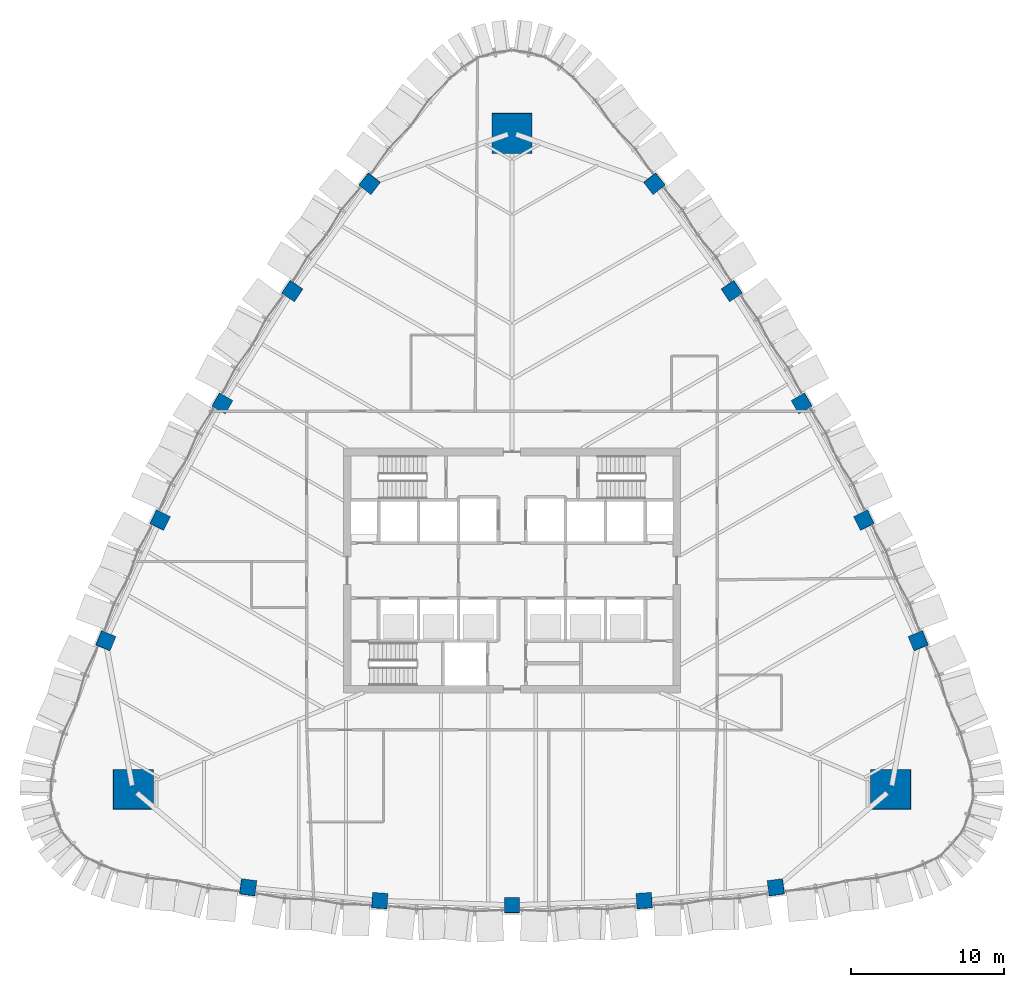
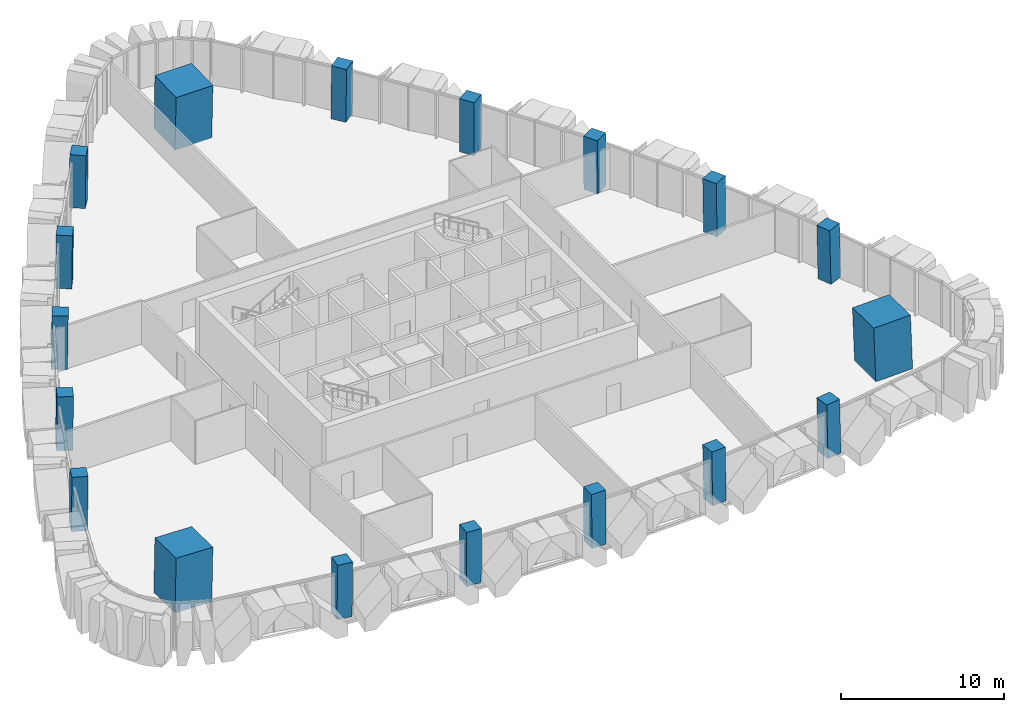
# One storey, part 1 of 18: 18 columns.
"""IFC4 building model written with IfcOpenShell, lengths in metres."""

from ifc_helpers import new_model, si_unit, direction, frame, origin, origin_2d, place, context, subcontext, project, spatial, rectangle, extrude, material, material_profile, profile_set, type_object, element, save


model = new_model("IFC4")

# Units and contexts
model_context = context("Model", 3, precision=1e-05, world=origin(), true_north=direction((0.0, 1.0)))
body_context = subcontext(model_context, "Body", "Model", "MODEL_VIEW")
ifc_project = project(units=[si_unit("LENGTHUNIT", "METRE"), si_unit("AREAUNIT", "SQUARE_METRE"), si_unit("VOLUMEUNIT", "CUBIC_METRE"), si_unit("PLANEANGLEUNIT", "RADIAN"), si_unit("MASSUNIT", "GRAM", prefix="KILO")], contexts=[model_context])

# Site, building, storey
site_placement = place(None, origin())
site = spatial("IfcSite", under=ifc_project, at=site_placement, CompositionType="ELEMENT")
building_placement = place(site_placement, origin())
building = spatial("IfcBuilding", under=site, at=building_placement, Name="Sierra Prisma Convention Tower", CompositionType="ELEMENT")
storey_placement = place(building_placement, frame((0.0, 0.0, 137.800048828125)))
storey = spatial("IfcBuildingStorey", under=building, at=storey_placement, Name="L29", CompositionType="ELEMENT", Elevation=137.800048828125)

# Columns
ifc_material_1 = material(Name="Concrete C60/75", Category="concrete")
ifc_material_profile_1 = material_profile(ifc_material_1, rectangle(XDim=2.60009765625, YDim=2.60009765625, at=origin_2d()), Name="Mega column RC 2600 C60/75")
ifc_profile_set_1 = profile_set([ifc_material_profile_1], Name="Concrete C60/75")
column_type_1 = type_object("IfcColumnType", Name="Mega column RC 2600 C60/75", PredefinedType="COLUMN", material=ifc_profile_set_1)
for number, where, z_axis, x_axis, name in (
    (1, (24.758056640625, -14.294189453125, 0.0), (-0.02806141744, 0.01622681965, 0.999474485505), (0.999606200887, 0.000455526946, 0.028057719863), "Mega column SE L29"),
    (2, (0.0, 28.588134765625, 0.0), (0.0, -0.032392660026, 0.999475220091), (1.0, 0.0, 0.0), "Mega column N L29"),
    (3, (-24.758056640625, -14.294189453125, 0.0), (0.02806141744, 0.01622681965, 0.999474485505), (0.999606200887, -0.000455526946, -0.028057719863), "Mega column SW L29"),
):
    element("IfcColumn", number, at=place(storey_placement, frame(where, z_axis=z_axis, x_axis=x_axis)), inside=storey, type_object=column_type_1, Name=name, PredefinedType="COLUMN", context=body_context, shape_type="SweptSolid", body=[
        extrude(rectangle(XDim=2.60009765625, YDim=2.60009765625, at=origin_2d()), origin(), (0.0, 0.0, 1.0), 4.002197265625),
    ])
ifc_material_2 = material(Name="Concrete C60/75", Category="concrete")
ifc_material_profile_2 = material_profile(ifc_material_2, rectangle(XDim=1.0, YDim=1.0, at=origin_2d()), Name="Perimeter column RC 1000 C60/75")
ifc_profile_set_2 = profile_set([ifc_material_profile_2], Name="Concrete C60/75")
column_type_2 = type_object("IfcColumnType", Name="Perimeter column RC 1000 C60/75", PredefinedType="COLUMN", material=ifc_profile_set_2)
column_1_placement = place(storey_placement, frame((-17.243408203125, -20.691162109375, 0.0), z_axis=(0.017696459735, 0.010434809016, 0.999788952766), x_axis=(-0.990875185818, 0.133812553022, 0.016142081135)))
element("IfcColumn", 4, at=column_1_placement, inside=storey, type_object=column_type_2, Name="Perimeter column S-1 L29", PredefinedType="COLUMN", context=body_context, shape_type="SweptSolid", body=[
    extrude(rectangle(XDim=1.0, YDim=1.0, at=origin_2d()), origin(), (0.0, 0.0, 1.0), 4.000732421875),
])
column_2_placement = place(storey_placement, frame((-8.64111328125, -21.558837890625, 0.0), z_axis=(0.008849199152, 0.01116829962, 0.999898475225), x_axis=(-0.997716007081, 0.067063175126, 0.008080826415)))
element("IfcColumn", 5, at=column_2_placement, inside=storey, type_object=column_type_2, Name="Perimeter column S-2 L29", PredefinedType="COLUMN", context=body_context, shape_type="SweptSolid", body=[
    extrude(rectangle(XDim=1.0, YDim=1.0, at=origin_2d()), origin(), (0.0, 0.0, 1.0), 4.00048828125),
])
column_3_placement = place(storey_placement, frame((0.0, -21.8486328125, 0.0), z_axis=(0.0, 0.01141283087, 0.999934871525), x_axis=(1.0, 0.0, 0.0)))
element("IfcColumn", 6, at=column_3_placement, inside=storey, type_object=column_type_2, Name="Perimeter column S-3 L29", PredefinedType="COLUMN", context=body_context, shape_type="SweptSolid", body=[
    extrude(rectangle(XDim=1.0, YDim=1.0, at=origin_2d()), origin(), (0.0, 0.0, 1.0), 4.000244140625),
])
column_4_placement = place(storey_placement, frame((8.64111328125, -21.558837890625, 0.0), z_axis=(-0.008849199152, 0.01116829962, 0.999898475225), x_axis=(0.997716007081, 0.067063175126, 0.008080826415)))
element("IfcColumn", 7, at=column_4_placement, inside=storey, type_object=column_type_2, Name="Perimeter column S-4 L29", PredefinedType="COLUMN", context=body_context, shape_type="SweptSolid", body=[
    extrude(rectangle(XDim=1.0, YDim=1.0, at=origin_2d()), origin(), (0.0, 0.0, 1.0), 4.00048828125),
])
for number, where, z_axis, x_axis, name in (
    (8, (17.243408203125, -20.691162109375, 0.0), (-0.017696459735, 0.010434809016, 0.999788952766), (0.990875185818, 0.133812553022, 0.016142081135), "Perimeter column S-5 L29"),
    (9, (26.540771484375, -4.58740234375, 0.0), (-0.017940538146, 0.010068669368, 0.999788357098), (-0.379721200807, 0.92496035973, -0.016128936303), "Perimeter column NE-1 L29"),
):
    element("IfcColumn", number, at=place(storey_placement, frame(where, z_axis=z_axis, x_axis=x_axis)), inside=storey, type_object=column_type_2, Name=name, PredefinedType="COLUMN", context=body_context, shape_type="SweptSolid", body=[
        extrude(rectangle(XDim=1.0, YDim=1.0, at=origin_2d()), origin(), (0.0, 0.0, 1.0), 4.000732421875),
    ])
column_5_placement = place(storey_placement, frame((22.9912109375, 3.296142578125, 0.0), z_axis=(-0.014158706356, 0.002074982828, 0.999897607498), x_axis=(-0.440836713602, 0.897550724125, -0.008104909801)))
element("IfcColumn", 10, at=column_5_placement, inside=storey, type_object=column_type_2, Name="Perimeter column NE-2 L29", PredefinedType="COLUMN", context=body_context, shape_type="SweptSolid", body=[
    extrude(rectangle(XDim=1.0, YDim=1.0, at=origin_2d()), origin(), (0.0, 0.0, 1.0), 4.00048828125),
])
column_6_placement = place(storey_placement, frame((18.92138671875, 10.92431640625, 0.0), z_axis=(-0.009887049298, -0.00573692984, 0.999934664812), x_axis=(-0.499975560967, 0.866039512843, 2.5126546e-05)))
element("IfcColumn", 11, at=column_6_placement, inside=storey, type_object=column_type_2, Name="Perimeter column NE-3 L29", PredefinedType="COLUMN", context=body_context, shape_type="SweptSolid", body=[
    extrude(rectangle(XDim=1.0, YDim=1.0, at=origin_2d()), origin(), (0.0, 0.0, 1.0), 4.000244140625),
])
column_7_placement = place(storey_placement, frame((14.35009765625, 18.2626953125, 0.0), z_axis=(-0.005248490815, -0.013243284963, 0.999898529226), x_axis=(-0.556866496761, 0.830562736307, 0.008077489933)))
element("IfcColumn", 12, at=column_7_placement, inside=storey, type_object=column_type_2, Name="Perimeter column NE-4 L29", PredefinedType="COLUMN", context=body_context, shape_type="SweptSolid", body=[
    extrude(rectangle(XDim=1.0, YDim=1.0, at=origin_2d()), origin(), (0.0, 0.0, 1.0), 4.00048828125),
])
for number, where, z_axis, x_axis, name in (
    (13, (9.297607421875, 25.27880859375, 0.0), (-0.000244088682, -0.020625493642, 0.999787242083), (-0.611248032971, 0.791273797568, 0.01617465524), "Perimeter column NE-5 L29"),
    (14, (-9.297607421875, 25.27880859375, 0.0), (0.000244088682, -0.020625493642, 0.999787242083), (0.611248032971, 0.791273797568, 0.01617465524), "Perimeter column NW-1 L29"),
):
    element("IfcColumn", number, at=place(storey_placement, frame(where, z_axis=z_axis, x_axis=x_axis)), inside=storey, type_object=column_type_2, Name=name, PredefinedType="COLUMN", context=body_context, shape_type="SweptSolid", body=[
        extrude(rectangle(XDim=1.0, YDim=1.0, at=origin_2d()), origin(), (0.0, 0.0, 1.0), 4.000732421875),
    ])
column_8_placement = place(storey_placement, frame((-14.35009765625, 18.2626953125, 0.0), z_axis=(0.005248490815, -0.013243284963, 0.999898529226), x_axis=(0.556866496761, 0.830562736307, 0.008077489933)))
element("IfcColumn", 15, at=column_8_placement, inside=storey, type_object=column_type_2, Name="Perimeter column NW-2 L29", PredefinedType="COLUMN", context=body_context, shape_type="SweptSolid", body=[
    extrude(rectangle(XDim=1.0, YDim=1.0, at=origin_2d()), origin(), (0.0, 0.0, 1.0), 4.00048828125),
])
column_9_placement = place(storey_placement, frame((-18.92138671875, 10.92431640625, 0.0), z_axis=(0.009887049298, -0.00573692984, 0.999934664812), x_axis=(0.499975560967, 0.866039512843, 2.5126546e-05)))
element("IfcColumn", 16, at=column_9_placement, inside=storey, type_object=column_type_2, Name="Perimeter column NW-3 L29", PredefinedType="COLUMN", context=body_context, shape_type="SweptSolid", body=[
    extrude(rectangle(XDim=1.0, YDim=1.0, at=origin_2d()), origin(), (0.0, 0.0, 1.0), 4.000244140625),
])
column_10_placement = place(storey_placement, frame((-22.9912109375, 3.296142578125, 0.0), z_axis=(0.014158706356, 0.002074982828, 0.999897607498), x_axis=(0.440836713602, 0.897550724125, -0.008104909801)))
element("IfcColumn", 17, at=column_10_placement, inside=storey, type_object=column_type_2, Name="Perimeter column NW-4 L29", PredefinedType="COLUMN", context=body_context, shape_type="SweptSolid", body=[
    extrude(rectangle(XDim=1.0, YDim=1.0, at=origin_2d()), origin(), (0.0, 0.0, 1.0), 4.00048828125),
])
column_11_placement = place(storey_placement, frame((-26.540771484375, -4.58740234375, 0.0), z_axis=(0.017940538146, 0.010068669368, 0.999788357098), x_axis=(0.379721200807, 0.92496035973, -0.016128936303)))
element("IfcColumn", 18, at=column_11_placement, inside=storey, type_object=column_type_2, Name="Perimeter column NW-5 L29", PredefinedType="COLUMN", context=body_context, shape_type="SweptSolid", body=[
    extrude(rectangle(XDim=1.0, YDim=1.0, at=origin_2d()), origin(), (0.0, 0.0, 1.0), 4.000732421875),
])

save(model, "model.ifc")
